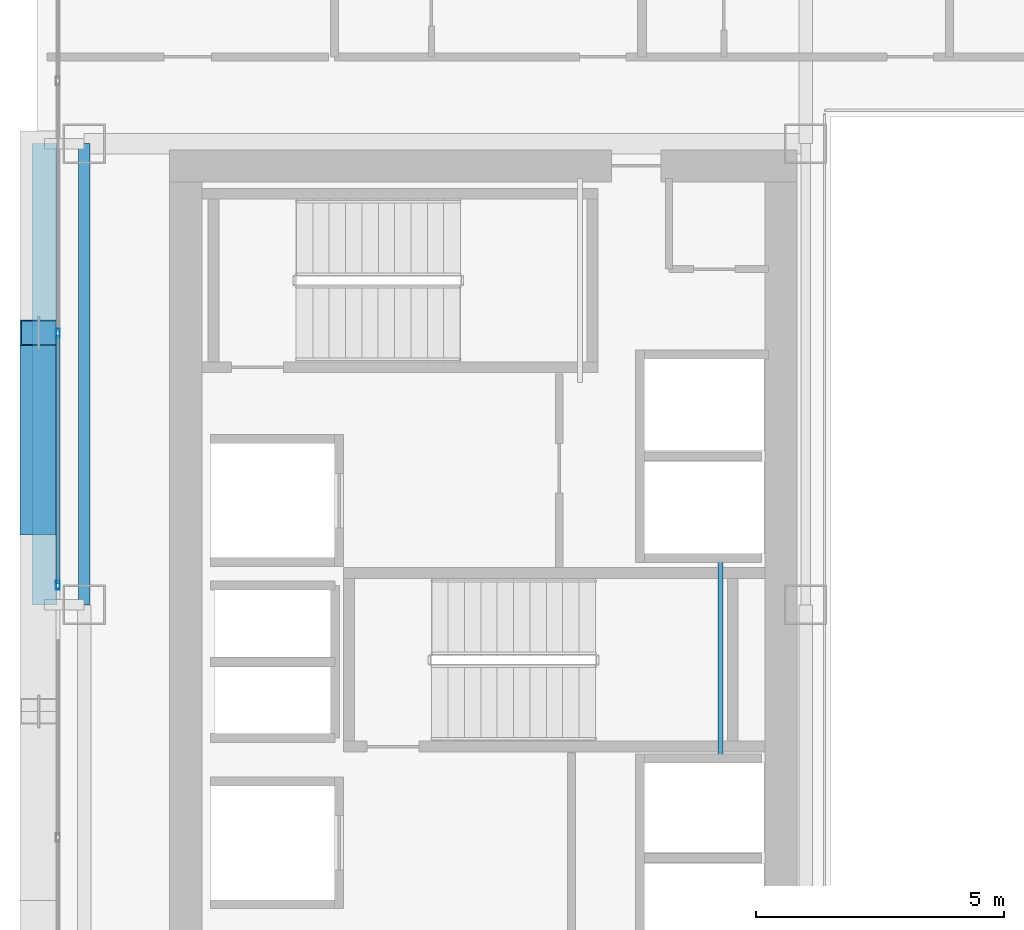
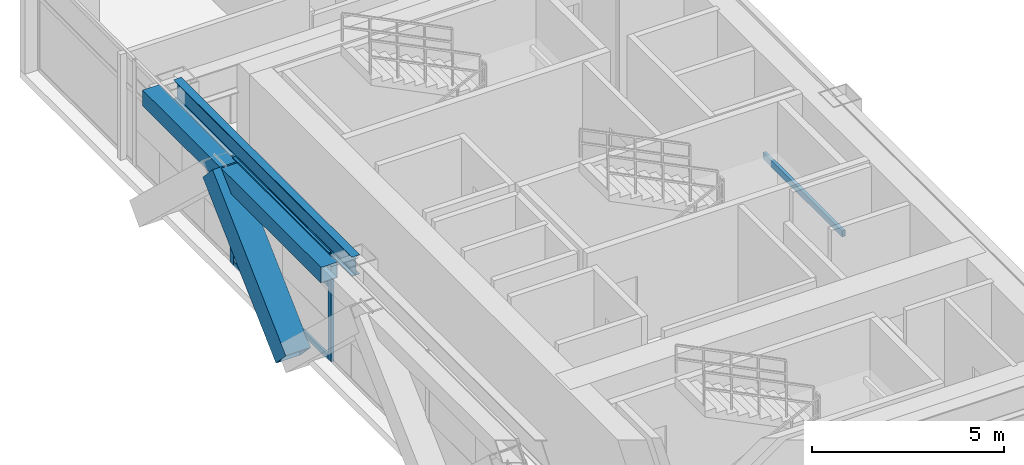
# One storey, part 8 of 35: 6 members, 3 beams, 1 element without a shape of its own.
"""IFC4 building model written with IfcOpenShell, lengths in metres."""

import ifcopenshell
import ifcopenshell.guid

model = None  # the IFC model being written
_history = None  # IfcOwnerHistory: only IFC2X3 demands one
_inside = {}  # id of a spatial element -> (the spatial element, [elements in it])
_under = {}  # id of a project, library or spatial element -> (it, [spatial elements below it])
_declared = {}  # id of a project -> (the project, [libraries it declares])
_typed = {}  # id of a type object -> (the type object, [elements of that type])
_made_of = {}  # id of a material, layer set ... -> (it, [elements and type objects made of it])


def new_model(schema):
    """Start an empty IFC model of exactly this schema.

    Asked for "IFC4X3", IfcOpenShell would pick the latest addendum, in which some entities
    have other attributes; the version numbers below select the first issue.
    IFC2X3 requires an IfcOwnerHistory on every rooted entity: one is made here for all.
    """
    global model, _history
    if schema == "IFC4X3":
        model = ifcopenshell.file(schema_version=(4, 3, 0, 0))
    else:
        model = ifcopenshell.file(schema=schema)
    _inside.clear()
    _under.clear()
    _declared.clear()
    _typed.clear()
    _made_of.clear()
    _history = None
    if model.schema == "IFC2X3":
        org = make("IfcOrganization", Name="unknown")
        user = make(
            "IfcPersonAndOrganization",
            ThePerson=make("IfcPerson", FamilyName="unknown"),
            TheOrganization=org,
        )
        app = make(
            "IfcApplication",
            ApplicationDeveloper=org,
            Version="unknown",
            ApplicationFullName="unknown",
            ApplicationIdentifier="unknown",
        )
        _history = make(
            "IfcOwnerHistory",
            OwningUser=user,
            OwningApplication=app,
            ChangeAction="ADDED",
            CreationDate=0,
        )
    return model


def make(cls, **values):
    """One entity of the class cls with the attributes given. An attribute that is None is left unset."""
    return model.create_entity(
        cls, **{name: value for name, value in values.items() if value is not None}
    )


def rooted(cls, **values):
    """An entity with a GlobalId (a new one), such as an element, a storey or a relation."""
    return make(cls, GlobalId=ifcopenshell.guid.new(), OwnerHistory=_history, **values)


def si_unit(unit_type, name, prefix=None):
    """IfcSIUnit, for example si_unit("LENGTHUNIT", "METRE", prefix="MILLI")."""
    return make("IfcSIUnit", UnitType=unit_type, Prefix=prefix, Name=name)


def assignment(units):
    """IfcUnitAssignment: the units of a project."""
    return None if units is None else make("IfcUnitAssignment", Units=units)


def point(xyz):
    """IfcCartesianPoint."""
    return None if xyz is None else make("IfcCartesianPoint", Coordinates=xyz)


def direction(xyz):
    """IfcDirection."""
    return None if xyz is None else make("IfcDirection", DirectionRatios=xyz)


def frame(location, z_axis=None, x_axis=None):
    """IfcAxis2Placement3D, a coordinate frame: its origin and axes. An axis left out is left unset."""
    return make(
        "IfcAxis2Placement3D",
        Location=point(location),
        Axis=direction(z_axis),
        RefDirection=direction(x_axis),
    )


def frame_2d(location, x_axis=None):
    """IfcAxis2Placement2D, a coordinate frame in the plane: its origin and x axis."""
    return make(
        "IfcAxis2Placement2D", Location=point(location), RefDirection=direction(x_axis)
    )


def origin():
    """The frame at (0, 0, 0) with its axes left unset."""
    return frame((0.0, 0.0, 0.0))


def origin_2d():
    """The frame at (0, 0) in the plane with its x axis left unset."""
    return frame_2d((0.0, 0.0))


def place(relative_to, where):
    """IfcLocalPlacement: puts the frame where relative to a parent placement (None: the world)."""
    return make(
        "IfcLocalPlacement", PlacementRelTo=relative_to, RelativePlacement=where
    )


def context(
    kind, dimensions, precision=None, world=None, true_north=None, identifier=None
):
    """IfcGeometricRepresentationContext, for example the 3D "Model" context."""
    return make(
        "IfcGeometricRepresentationContext",
        ContextIdentifier=identifier,
        ContextType=kind,
        CoordinateSpaceDimension=dimensions,
        Precision=precision,
        WorldCoordinateSystem=world,
        TrueNorth=true_north,
    )


def subcontext(parent, identifier, kind, view, scale=None):
    """IfcGeometricRepresentationSubContext, for example "Body" below "Model"."""
    return make(
        "IfcGeometricRepresentationSubContext",
        ContextIdentifier=identifier,
        ContextType=kind,
        ParentContext=parent,
        TargetScale=scale,
        TargetView=view,
    )


def project(units=None, contexts=None):
    """IfcProject with its units and contexts."""
    return rooted(
        "IfcProject",
        Name="project",
        RepresentationContexts=contexts,
        UnitsInContext=assignment(units),
    )


def spatial(cls, under=None, at=None, **own):
    """A site, building, storey or space (cls), placed at a placement, below another one or the project."""
    s = rooted(cls, ObjectPlacement=at, **own)
    if under is not None:
        _under.setdefault(under.id(), (under, []))[1].append(s)
    return s


def profile(cls, at=None, kind="AREA", **sizes):
    """A parametric profile (cls). Its sizes go by their IFC names, for example OverallWidth=200.0."""
    return make(cls, ProfileType=kind, Position=at, **sizes)


def hollow_rectangle(**sizes):
    """IfcRectangleHollowProfileDef."""
    return profile("IfcRectangleHollowProfileDef", **sizes)


def i_section(**sizes):
    """IfcIShapeProfileDef."""
    return profile("IfcIShapeProfileDef", **sizes)


def extrude(swept, where, along, depth):
    """IfcExtrudedAreaSolid: the profile swept, set in the frame where, extruded along a direction by depth."""
    return make(
        "IfcExtrudedAreaSolid",
        SweptArea=swept,
        Position=where,
        ExtrudedDirection=direction(along),
        Depth=depth,
    )


def shape(context_of_items, identifier, shape_type, items):
    """IfcShapeRepresentation: the items that make up one representation, for example the "Body"."""
    return make(
        "IfcShapeRepresentation",
        ContextOfItems=context_of_items,
        RepresentationIdentifier=identifier,
        RepresentationType=shape_type,
        Items=items,
    )


def source(mapping_origin, context_of_items, identifier, shape_type, items):
    """IfcRepresentationMap: a shape defined once, which mapped items show again and again."""
    return make(
        "IfcRepresentationMap",
        MappingOrigin=mapping_origin,
        MappedRepresentation=shape(context_of_items, identifier, shape_type, items),
    )


def transform(
    local_origin,
    x_axis=None,
    y_axis=None,
    z_axis=None,
    scale=None,
    scale2=None,
    scale3=None,
    uniform=True,
):
    """IfcCartesianTransformationOperator3D, or its non-uniform kind. x_axis, y_axis, z_axis: its Axis1, 2, 3."""
    if uniform:
        return make(
            "IfcCartesianTransformationOperator3D",
            Axis1=direction(x_axis),
            Axis2=direction(y_axis),
            LocalOrigin=point(local_origin),
            Scale=scale,
            Axis3=direction(z_axis),
        )
    return make(
        "IfcCartesianTransformationOperator3DnonUniform",
        Axis1=direction(x_axis),
        Axis2=direction(y_axis),
        LocalOrigin=point(local_origin),
        Scale=scale,
        Axis3=direction(z_axis),
        Scale2=scale2,
        Scale3=scale3,
    )


def mapped(mapping_source, mapping_target):
    """IfcMappedItem: shows the shape of a source again, moved by a transform."""
    return make(
        "IfcMappedItem", MappingSource=mapping_source, MappingTarget=mapping_target
    )


def material(Name=None, Category=None):
    """IfcMaterial."""
    return make("IfcMaterial", Name=Name, Category=Category)


def layer(
    of_material, thickness, ventilated=None, Name=None, Category=None, Priority=None
):
    """IfcMaterialLayer: one layer of a wall or slab, of a material (None: an air gap)."""
    return make(
        "IfcMaterialLayer",
        Material=of_material,
        LayerThickness=thickness,
        IsVentilated=ventilated,
        Name=Name,
        Category=Category,
        Priority=Priority,
    )


def layer_set(layers, Name=None):
    """IfcMaterialLayerSet."""
    return make("IfcMaterialLayerSet", MaterialLayers=layers, LayerSetName=Name)


def material_profile(
    of_material, cross_section, Name=None, Category=None, Priority=None
):
    """IfcMaterialProfile: a cross section and its material."""
    return make(
        "IfcMaterialProfile",
        Name=Name,
        Material=of_material,
        Profile=cross_section,
        Priority=Priority,
        Category=Category,
    )


def profile_set(profiles, Name=None, composite=None):
    """IfcMaterialProfileSet."""
    return make(
        "IfcMaterialProfileSet",
        Name=Name,
        MaterialProfiles=profiles,
        CompositeProfile=composite,
    )


def made_of(thing, what):
    """Note that an element or type object is made of a material, layer set ...; save() writes the relation."""
    if what is not None:
        _made_of.setdefault(what.id(), (what, []))[1].append(thing)
    return thing


def type_object(cls, material=None, **own):
    """A type object (cls), such as IfcWallType, which elements share."""
    return made_of(rooted(cls, **own), material)


def element(
    cls,
    number,
    at=None,
    inside=None,
    cuts=None,
    type_object=None,
    material=None,
    context=None,
    identifier="Body",
    shape_type=None,
    held_by="IfcProductDefinitionShape",
    body=None,
    shapes=None,
    **own,
):
    """One element of the class cls, such as IfcWall. Its Tag is "e" and its number.

    at: its placement. inside: the storey or other place that contains it. cuts: it is an
    opening in that element (IfcRelVoidsElement). A single representation is given by context,
    identifier, shape_type and body (its items); several are given by shapes. held_by: the class
    of the entity that holds the representations. save() writes the other relations.
    """
    e = rooted(cls, Tag="e%d" % number, ObjectPlacement=at, **own)
    if body is not None:
        shapes = [shape(context, identifier, shape_type, body)]
    if shapes is not None:
        e.Representation = make(held_by, Representations=shapes)
    if inside is not None:
        _inside.setdefault(inside.id(), (inside, []))[1].append(e)
    if cuts is not None:
        rooted(
            "IfcRelVoidsElement", RelatingBuildingElement=cuts, RelatedOpeningElement=e
        )
    if type_object is not None:
        _typed.setdefault(type_object.id(), (type_object, []))[1].append(e)
    return made_of(e, material)


def aggregate(whole, parts):
    """IfcRelAggregates: a whole, such as a stair, and the parts it consists of."""
    return rooted("IfcRelAggregates", RelatingObject=whole, RelatedObjects=parts)


def save(model, path):
    """Write the relations noted so far, then the file.

    IfcRelAggregates (storeys below a building ...), IfcRelContainedInSpatialStructure (elements
    in a storey), IfcRelDefinesByType, IfcRelAssociatesMaterial and IfcRelDeclares: one each for
    every whole, place, type object, material and project.
    """
    for whole, parts in _under.values():
        aggregate(whole, parts)
    for where, things in _inside.values():
        rooted(
            "IfcRelContainedInSpatialStructure",
            RelatedElements=things,
            RelatingStructure=where,
        )
    for kind, things in _typed.values():
        rooted("IfcRelDefinesByType", RelatedObjects=things, RelatingType=kind)
    for what, things in _made_of.values():
        rooted("IfcRelAssociatesMaterial", RelatedObjects=things, RelatingMaterial=what)
    for by, libraries in _declared.values():
        rooted("IfcRelDeclares", RelatingContext=by, RelatedDefinitions=libraries)
    model.write(path)


model = new_model("IFC4")

# Units and contexts
model_context = context("Model", 3, precision=1e-05, world=origin(), true_north=direction((0.0, 1.0)))
body_context = subcontext(model_context, "Body", "Model", "MODEL_VIEW")
ifc_project = project(units=[si_unit("LENGTHUNIT", "METRE"), si_unit("AREAUNIT", "SQUARE_METRE"), si_unit("VOLUMEUNIT", "CUBIC_METRE"), si_unit("PLANEANGLEUNIT", "RADIAN"), si_unit("MASSUNIT", "GRAM", prefix="KILO")], contexts=[model_context])

# Site, building, storey
site_placement = place(None, origin())
site = spatial("IfcSite", under=ifc_project, at=site_placement, CompositionType="ELEMENT")
building_placement = place(site_placement, origin())
building = spatial("IfcBuilding", under=site, at=building_placement, Name="Ocotamira Hotel", CompositionType="ELEMENT")
storey_placement = place(building_placement, frame((0.0, 0.0, 118.800048828125)))
storey = spatial("IfcBuildingStorey", under=building, at=storey_placement, Name="L29", CompositionType="ELEMENT", Elevation=118.800048828125)

# Beams
ifc_material_1 = material(Name="Steel ASTM A500 Grade C", Category="steel")
ifc_material_profile_1 = material_profile(ifc_material_1, hollow_rectangle(XDim=0.10009765625, YDim=0.199951171875, WallThickness=0.008056640625, at=origin_2d()), Name="HSS200X100X8")
ifc_profile_set_1 = profile_set([ifc_material_profile_1], Name="Steel ASTM A500 Grade C")
beam_type_1 = type_object("IfcBeamType", Name="BM-STLDG-HSS200", PredefinedType="BEAM", material=ifc_profile_set_1)
shared_shape_1 = source(origin(), body_context, "Body", "SweptSolid", [
    extrude(hollow_rectangle(XDim=0.10009765625, YDim=0.199951171875, WallThickness=0.008056640625, at=origin_2d()), origin(), (0.0, 0.0, 1.0), 4.1201171875),
])
beam_1_placement = place(storey_placement, frame((21.780029296875, 24.97998046875, 1.5), z_axis=(0.0, 1.0, 0.0), x_axis=(-1.0, 0.0, 0.0)))
element("IfcBeam", 1, at=beam_1_placement, inside=storey, type_object=beam_type_1, Name="L29 Stair ST-3 Landing Bearer 1", PredefinedType="BEAM", context=body_context, shape_type="MappedRepresentation", body=[
    mapped(shared_shape_1, transform((0.0, 0.0, 0.0), scale=1.0)),
])
ifc_material_2 = material(Name="Steel ASTM A992 Grade 50", Category="steel")
ifc_material_profile_2 = material_profile(ifc_material_2, i_section(OverallWidth=0.22998046875, OverallDepth=0.616943359375, WebThickness=0.01318359375, FlangeThickness=0.022216796875, FilletRadius=0.012939453125, at=origin_2d()), Name="W24X94")
ifc_profile_set_2 = profile_set([ifc_material_profile_2], Name="Steel ASTM A992 Grade 50")
beam_type_2 = type_object("IfcBeamType", Name="BM-PRIM-W24X94", PredefinedType="BEAM", material=ifc_profile_set_2)
shared_shape_2 = source(origin(), body_context, "Body", "SweptSolid", [
    extrude(i_section(OverallWidth=0.22998046875, OverallDepth=0.616943359375, WebThickness=0.01318359375, FlangeThickness=0.022216796875, FilletRadius=0.012939453125, at=origin_2d()), origin(), (0.0, 0.0, 1.0), 9.300048828125),
])
beam_2_placement = place(storey_placement, frame((8.949951171875, 28.14990234375, 3.051513671875), z_axis=(0.0, 1.0, 0.0), x_axis=(-1.0, 0.0, 0.0)))
element("IfcBeam", 2, at=beam_2_placement, inside=storey, type_object=beam_type_2, Name="L29 Beam X8.95 Y28.15-37.45", PredefinedType="BEAM", context=body_context, shape_type="MappedRepresentation", body=[
    mapped(shared_shape_2, transform((0.0, 0.0, 0.0), scale=1.0)),
])
ifc_material_profile_3 = material_profile(ifc_material_1, hollow_rectangle(XDim=0.5, YDim=0.5, WallThickness=0.02001953125, at=origin_2d()), Name="HSS500X500X20")
ifc_profile_set_3 = profile_set([ifc_material_profile_3], Name="Steel ASTM A500 Grade C")
beam_type_3 = type_object("IfcBeamType", Name="BM-SPAN-HSS500", PredefinedType="USERDEFINED", material=ifc_profile_set_3)
shared_shape_3 = source(origin(), body_context, "Body", "SweptSolid", [
    extrude(hollow_rectangle(XDim=0.5, YDim=0.5, WallThickness=0.02001953125, at=origin_2d()), origin(), (0.0, 0.0, 1.0), 9.300048828125),
])
beam_3_placement = place(storey_placement, frame((8.14990234375, 28.14990234375, 3.10986328125), z_axis=(0.0, 1.0, 0.0), x_axis=(-1.0, 0.0, 0.0)))
element("IfcBeam", 3, at=beam_3_placement, inside=storey, type_object=beam_type_3, Name="L29 Edge Spandrel W Y28.15-37.45", ObjectType="SPANDREL", PredefinedType="USERDEFINED", context=body_context, shape_type="MappedRepresentation", body=[
    mapped(shared_shape_3, transform((0.0, 0.0, 0.0), scale=1.0)),
])

# Member
ifc_material_3 = material(Name="Pale-metal coated steel ASTM A913 Grade 65", Category="steel")
ifc_material_profile_4 = material_profile(ifc_material_3, hollow_rectangle(XDim=0.75, YDim=0.75, WallThickness=0.028076171875, at=origin_2d()), Name="BOX750X750X28")
ifc_profile_set_4 = profile_set([ifc_material_profile_4], Name="Pale-metal coated steel ASTM A913 Grade 65")
member_type_1 = type_object("IfcMemberType", Name="MEM-EXO-BOX750", PredefinedType="BRACE", material=ifc_profile_set_4)
shared_shape_4 = source(origin(), body_context, "Body", "SweptSolid", [
    extrude(hollow_rectangle(XDim=0.75, YDim=0.75, WallThickness=0.028076171875, at=origin_2d()), origin(), (0.0, 0.0, 1.0), 5.24658203125),
])
member_1_placement = place(storey_placement, frame((8.030029296875, 29.816650390625, -0.489990234375), z_axis=(0.0, 0.72746596067, 0.686143772154), x_axis=(-1.0, 0.0, 0.0)))
element("IfcMember", 4, at=member_1_placement, inside=storey, type_object=member_type_1, Name="L29 Exoskeleton Diagrid W2.1", PredefinedType="BRACE", context=body_context, shape_type="MappedRepresentation", body=[
    mapped(shared_shape_4, transform((0.0, 0.0, 0.0), scale=1.0)),
])

# Curtain wall, members
ifc_material_4 = material(Name="Anodised pale-metal aluminium and solar glass", Category="aluminium")
ifc_layer = layer(ifc_material_4, 0.179931640625)
ifc_layer_set = layer_set([ifc_layer], Name="Anodised pale-metal aluminium and solar glass")
curtain_wall_type = type_object("IfcCurtainWallType", Name="CW-SYS3-Z2", PredefinedType="NOTDEFINED", material=ifc_layer_set)
curtain_wall_placement = place(storey_placement, origin())
curtain_wall = element("IfcCurtainWall", 5, at=curtain_wall_placement, inside=storey, type_object=curtain_wall_type, Name="L29 Curtain Wall CW-3 CW-L29-W", PredefinedType="NOTDEFINED")
ifc_material_5 = material(Name="Anodised pale-metal aluminium 6063-T6", Category="aluminium")
ifc_material_profile_5 = material_profile(ifc_material_5, hollow_rectangle(XDim=0.074951171875, YDim=0.14990234375, WallThickness=0.006103515625, at=origin_2d()), Name="HSS150X75X6")
ifc_profile_set_5 = profile_set([ifc_material_profile_5], Name="Anodised pale-metal aluminium 6063-T6")
member_type_2 = type_object("IfcMemberType", Name="CWT-150X75", PredefinedType="USERDEFINED", material=ifc_profile_set_5)
shared_shape_5 = source(origin(), body_context, "Body", "SweptSolid", [
    extrude(hollow_rectangle(XDim=0.074951171875, YDim=0.14990234375, WallThickness=0.006103515625, at=origin_2d()), origin(), (0.0, 0.0, 1.0), 5.005859375),
])
member_2_placement = place(storey_placement, frame((8.419921875, 28.582763671875, 0.037353515625), z_axis=(0.0, 1.0, 0.0), x_axis=(-1.0, 0.0, 0.0)))
member_2 = element("IfcMember", 6, at=member_2_placement, type_object=member_type_2, Name="CW-3 transom 5.1", ObjectType="TRANSOM", PredefinedType="USERDEFINED", context=body_context, shape_type="MappedRepresentation", body=[
    mapped(shared_shape_5, transform((0.0, 0.0, 0.0), scale=1.0)),
])
member_3_placement = place(storey_placement, frame((8.419921875, 28.582763671875, 2.349853515625), z_axis=(0.0, 1.0, 0.0), x_axis=(-1.0, 0.0, 0.0)))
member_3 = element("IfcMember", 7, at=member_3_placement, type_object=member_type_2, Name="CW-3 transom 5.2", ObjectType="TRANSOM", PredefinedType="USERDEFINED", context=body_context, shape_type="MappedRepresentation", body=[
    mapped(shared_shape_5, transform((0.0, 0.0, 0.0), scale=1.0)),
])
member_4_placement = place(storey_placement, frame((8.419921875, 28.582763671875, 3.322509765625), z_axis=(0.0, 1.0, 0.0), x_axis=(-1.0, 0.0, 0.0)))
member_4 = element("IfcMember", 8, at=member_4_placement, type_object=member_type_2, Name="CW-3 transom 5.3", ObjectType="TRANSOM", PredefinedType="USERDEFINED", context=body_context, shape_type="MappedRepresentation", body=[
    mapped(shared_shape_5, transform((0.0, 0.0, 0.0), scale=1.0)),
])
ifc_material_profile_6 = material_profile(ifc_material_5, hollow_rectangle(XDim=0.080078125, YDim=0.179931640625, WallThickness=0.006103515625, at=origin_2d()), Name="HSS180X80X6")
ifc_profile_set_6 = profile_set([ifc_material_profile_6], Name="Anodised pale-metal aluminium 6063-T6")
member_type_3 = type_object("IfcMemberType", Name="CWM-180X75", PredefinedType="MULLION", material=ifc_profile_set_6)
shared_shape_6 = source(origin(), body_context, "Body", "SweptSolid", [
    extrude(hollow_rectangle(XDim=0.080078125, YDim=0.179931640625, WallThickness=0.006103515625, at=origin_2d()), origin(), (0.0, 0.0, 1.0), 3.35986328125),
])
member_5_placement = place(storey_placement, frame((8.419921875, 28.54296875, 0.0), z_axis=(0.0, 0.0, 1.0), x_axis=(-1.0, 0.0, 0.0)))
member_5 = element("IfcMember", 9, at=member_5_placement, type_object=member_type_3, Name="CW-3 mullion 5", PredefinedType="MULLION", context=body_context, shape_type="MappedRepresentation", body=[
    mapped(shared_shape_6, transform((0.0, 0.0, 0.0), scale=1.0)),
])
member_6_placement = place(storey_placement, frame((8.419921875, 33.628662109375, 0.0), z_axis=(0.0, 0.0, 1.0), x_axis=(-1.0, 0.0, 0.0)))
member_6 = element("IfcMember", 10, at=member_6_placement, type_object=member_type_3, Name="CW-3 mullion 6", PredefinedType="MULLION", context=body_context, shape_type="MappedRepresentation", body=[
    mapped(shared_shape_6, transform((0.0, 0.0, 0.0), scale=1.0)),
])
aggregate(curtain_wall, [member_5, member_6, member_2, member_3, member_4])

save(model, "model.ifc")
